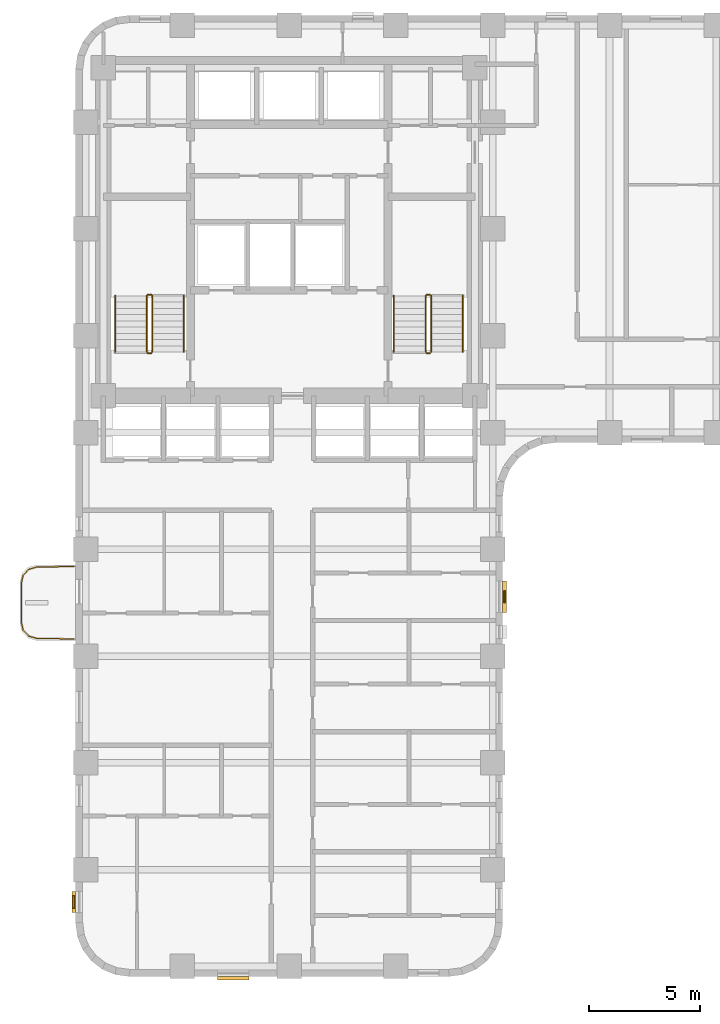
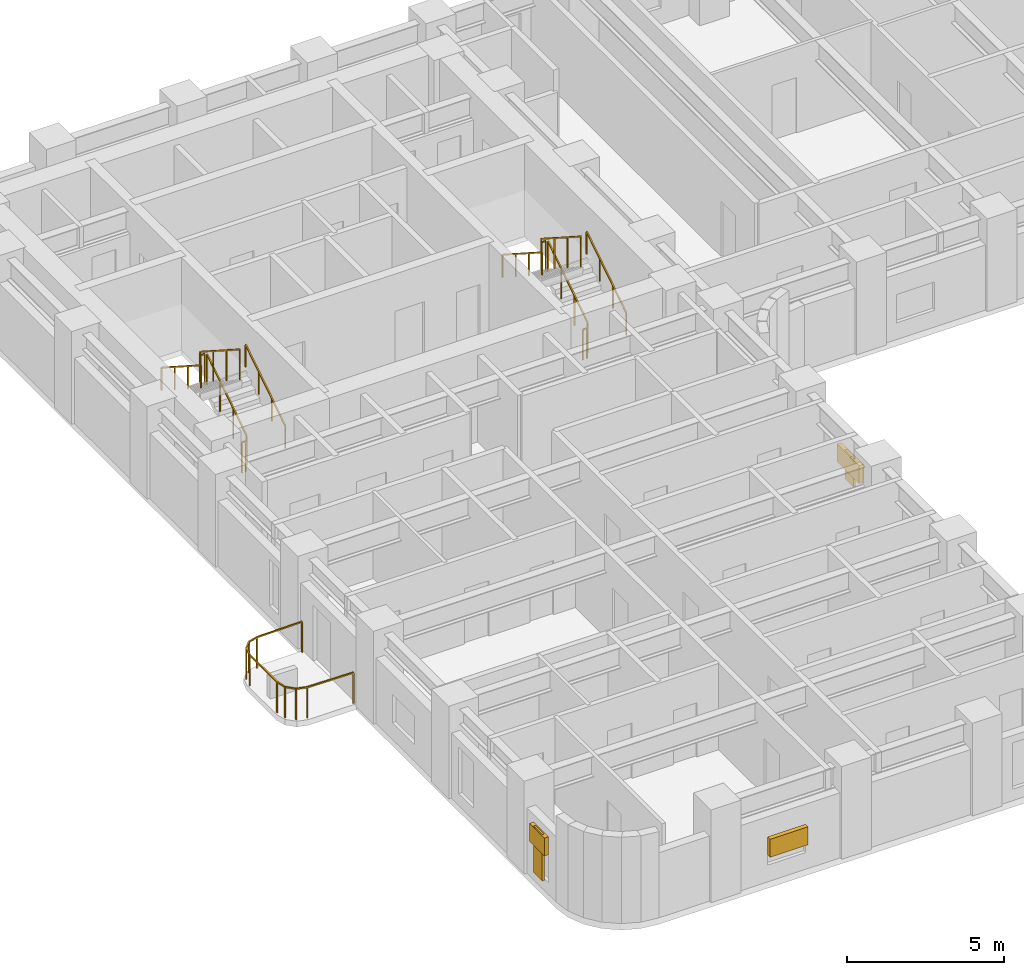
# One storey, part 8 of 11: 13 railings, 5 shading devices.
"""IFC4 building model written with IfcOpenShell, lengths in metres."""

from ifc_helpers import new_model, si_unit, direction, frame, origin, origin_2d, place, context, subcontext, project, spatial, rectangle, extrude, material, type_object, element, save


model = new_model("IFC4")

# Units and contexts
model_context = context("Model", 3, precision=1e-05, world=origin(), true_north=direction((0.0, 1.0)))
body_context = subcontext(model_context, "Body", "Model", "MODEL_VIEW")
ifc_project = project(units=[si_unit("LENGTHUNIT", "METRE"), si_unit("AREAUNIT", "SQUARE_METRE"), si_unit("VOLUMEUNIT", "CUBIC_METRE"), si_unit("PLANEANGLEUNIT", "RADIAN"), si_unit("MASSUNIT", "GRAM", prefix="KILO")], contexts=[model_context])

# Site, building, storey
site_placement = place(None, origin())
site = spatial("IfcSite", under=ifc_project, at=site_placement, CompositionType="ELEMENT")
building_placement = place(site_placement, origin())
building = spatial("IfcBuilding", under=site, at=building_placement, Name="Orvandelia Arch Residences", CompositionType="ELEMENT")
storey_placement = place(building_placement, frame((0.0, 0.0, 61.0)))
storey = spatial("IfcBuildingStorey", under=building, at=storey_placement, Name="L15", CompositionType="ELEMENT", Elevation=61.0)

# Railings
ifc_material_1 = material(Name="Marine-Grade Stainless Steel 316", Category="steel")
railing_type_1 = type_object("IfcRailingType", Name="GRD-BAL-1200", PredefinedType="BALUSTRADE", material=ifc_material_1)
railing_1_placement = place(storey_placement, frame((4.728271484375, 23.23046875, 0.0)))
element("IfcRailing", 1, at=railing_1_placement, inside=storey, type_object=railing_type_1, Name="Safety Balustrade Guard GRD-L15-BAL-L15-W1-1", PredefinedType="BALUSTRADE", context=body_context, shape_type="SweptSolid", body=[
    extrude(rectangle(XDim=0.048095703125, YDim=0.048095703125, at=origin_2d()), frame((0.0, 0.0, 1.19580078125), z_axis=(-0.999834751713, -0.018178813668, 0.0), x_axis=(0.018178813668, -0.999834751713, 0.0)), (0.0, 0.0, 1.0), 1.6787109375),
    extrude(rectangle(XDim=0.048095703125, YDim=0.048095703125, at=origin_2d()), frame((-1.678466796875, -0.030517578125, 1.19580078125), z_axis=(-0.96348920644, -0.267747173792, 0.0), x_axis=(0.267747173792, -0.96348920644, 0.0)), (0.0, 0.0, 1.0), 0.36572265625),
    extrude(rectangle(XDim=0.048095703125, YDim=0.048095703125, at=origin_2d()), frame((-2.03076171875, -0.12841796875, 1.19580078125), z_axis=(-0.688627404251, -0.725115368831, 0.0), x_axis=(0.725115368831, -0.688627404251, 0.0)), (0.0, 0.0, 1.0), 0.367919921875),
    extrude(rectangle(XDim=0.048095703125, YDim=0.048095703125, at=origin_2d()), frame((-2.2841796875, -0.395263671875, 1.19580078125), z_axis=(-0.220461657419, -0.975395641577, 0.0), x_axis=(0.975395641577, -0.220461657419, 0.0)), (0.0, 0.0, 1.0), 0.373291015625),
    extrude(rectangle(XDim=0.048095703125, YDim=0.048095703125, at=origin_2d()), frame((-2.366455078125, -0.75927734375, 1.19580078125), z_axis=(0.0, -1.0, 0.0), x_axis=(1.0, 0.0, 0.0)), (0.0, 0.0, 1.0), 1.742431640625),
    extrude(rectangle(XDim=0.048095703125, YDim=0.048095703125, at=origin_2d()), frame((-2.366455078125, -2.501708984375, 1.19580078125), z_axis=(0.220602419982, -0.975363815352, 0.0), x_axis=(0.975363815352, 0.220602419982, 0.0)), (0.0, 0.0, 1.0), 0.373046875),
    extrude(rectangle(XDim=0.048095703125, YDim=0.048095703125, at=origin_2d()), frame((-2.2841796875, -2.865478515625, 1.19580078125), z_axis=(0.688296224633, -0.725429739642, 0.0), x_axis=(0.725429739642, 0.688296224633, 0.0)), (0.0, 0.0, 1.0), 0.3681640625),
    extrude(rectangle(XDim=0.048095703125, YDim=0.048095703125, at=origin_2d()), frame((-2.03076171875, -3.132568359375, 1.19580078125), z_axis=(0.96348920644, -0.267747173792, 0.0), x_axis=(0.267747173792, 0.96348920644, 0.0)), (0.0, 0.0, 1.0), 0.36572265625),
    extrude(rectangle(XDim=0.048095703125, YDim=0.048095703125, at=origin_2d()), frame((-1.678466796875, -3.23046875, 1.19580078125), z_axis=(0.999834751713, -0.018178813668, 0.0), x_axis=(0.018178813668, 0.999834751713, 0.0)), (0.0, 0.0, 1.0), 1.6787109375),
    extrude(rectangle(XDim=0.0419921875, YDim=0.0419921875, at=origin_2d()), origin(), (0.0, 0.0, 1.0), 1.171875),
    extrude(rectangle(XDim=0.0419921875, YDim=0.0419921875, at=origin_2d()), frame((-1.678466796875, -0.030517578125, 0.0)), (0.0, 0.0, 1.0), 1.171875),
    extrude(rectangle(XDim=0.0419921875, YDim=0.0419921875, at=origin_2d()), frame((-2.03076171875, -0.12841796875, 0.0)), (0.0, 0.0, 1.0), 1.171875),
    extrude(rectangle(XDim=0.0419921875, YDim=0.0419921875, at=origin_2d()), frame((-2.2841796875, -0.395263671875, 0.0)), (0.0, 0.0, 1.0), 1.171875),
    extrude(rectangle(XDim=0.0419921875, YDim=0.0419921875, at=origin_2d()), frame((-2.366455078125, -0.75927734375, 0.0)), (0.0, 0.0, 1.0), 1.171875),
    extrude(rectangle(XDim=0.0419921875, YDim=0.0419921875, at=origin_2d()), frame((-2.366455078125, -2.501708984375, 0.0)), (0.0, 0.0, 1.0), 1.171875),
    extrude(rectangle(XDim=0.0419921875, YDim=0.0419921875, at=origin_2d()), frame((-2.2841796875, -2.865478515625, 0.0)), (0.0, 0.0, 1.0), 1.171875),
    extrude(rectangle(XDim=0.0419921875, YDim=0.0419921875, at=origin_2d()), frame((-2.03076171875, -3.132568359375, 0.0)), (0.0, 0.0, 1.0), 1.171875),
    extrude(rectangle(XDim=0.0419921875, YDim=0.0419921875, at=origin_2d()), frame((-1.678466796875, -3.23046875, 0.0)), (0.0, 0.0, 1.0), 1.171875),
    extrude(rectangle(XDim=0.0419921875, YDim=0.0419921875, at=origin_2d()), frame((0.0, -3.260986328125, 0.0)), (0.0, 0.0, 1.0), 1.171875),
])
ifc_material_2 = material(Name="Brushed Stainless Steel 304", Category="steel")
railing_type_2 = type_object("IfcRailingType", Name="RL-STAIR-GD1120", PredefinedType="GUARDRAIL", material=ifc_material_2)
railing_2_placement = place(storey_placement, frame((8.25, 32.8701171875, 0.179931640625)))
element("IfcRailing", 2, at=railing_2_placement, inside=storey, type_object=railing_type_2, Name="L15 ST-1 stair guard 1", PredefinedType="GUARDRAIL", context=body_context, shape_type="SweptSolid", body=[
    extrude(rectangle(XDim=0.048095703125, YDim=0.048095703125, at=origin_2d()), frame((0.0, 0.0, 1.17578125), z_axis=(0.0, 0.841138753965, 0.540819375188), x_axis=(-1.0, 0.0, 0.0)), (0.0, 0.0, 1.0), 2.99560546875),
    extrude(rectangle(XDim=0.0419921875, YDim=0.0419921875, at=origin_2d()), origin(), (0.0, 0.0, 1.0), 1.15185546875),
    extrude(rectangle(XDim=0.0419921875, YDim=0.0419921875, at=origin_2d()), frame((0.0, 0.83984375, 0.5400390625)), (0.0, 0.0, 1.0), 1.15185546875),
    extrude(rectangle(XDim=0.0419921875, YDim=0.0419921875, at=origin_2d()), frame((0.0, 1.679931640625, 1.080078125)), (0.0, 0.0, 1.0), 1.15185546875),
    extrude(rectangle(XDim=0.0419921875, YDim=0.0419921875, at=origin_2d()), frame((0.0, 2.519775390625, 1.6201171875)), (0.0, 0.0, 1.0), 1.15185546875),
])
railing_3_placement = place(storey_placement, frame((8.199951171875, 35.43994140625, 1.800048828125)))
element("IfcRailing", 3, at=railing_3_placement, inside=storey, type_object=railing_type_2, Name="L15 ST-1 stair guard 2", PredefinedType="GUARDRAIL", context=body_context, shape_type="SweptSolid", body=[
    extrude(rectangle(XDim=0.048095703125, YDim=0.048095703125, at=origin_2d()), frame((0.0, 0.0, 1.17578125), z_axis=(-1.0, 0.0, 0.0), x_axis=(0.0, -1.0, 0.0)), (0.0, 0.0, 1.0), 0.14990234375),
    extrude(rectangle(XDim=0.0419921875, YDim=0.0419921875, at=origin_2d()), origin(), (0.0, 0.0, 1.0), 1.15185546875),
    extrude(rectangle(XDim=0.0419921875, YDim=0.0419921875, at=origin_2d()), frame((-0.14990234375, 0.0, 0.0)), (0.0, 0.0, 1.0), 1.15185546875),
])
railing_4_placement = place(storey_placement, frame((8.0, 35.389892578125, 1.97998046875)))
element("IfcRailing", 4, at=railing_4_placement, inside=storey, type_object=railing_type_2, Name="L15 ST-1 stair guard 3", PredefinedType="GUARDRAIL", context=body_context, shape_type="SweptSolid", body=[
    extrude(rectangle(XDim=0.048095703125, YDim=0.048095703125, at=origin_2d()), frame((0.0, 0.0, 1.17578125), z_axis=(0.0, -0.841138753965, 0.540819375188), x_axis=(1.0, 0.0, 0.0)), (0.0, 0.0, 1.0), 2.99560546875),
    extrude(rectangle(XDim=0.0419921875, YDim=0.0419921875, at=origin_2d()), origin(), (0.0, 0.0, 1.0), 1.15185546875),
    extrude(rectangle(XDim=0.0419921875, YDim=0.0419921875, at=origin_2d()), frame((0.0, -0.83984375, 0.5400390625)), (0.0, 0.0, 1.0), 1.15185546875),
    extrude(rectangle(XDim=0.0419921875, YDim=0.0419921875, at=origin_2d()), frame((0.0, -1.679931640625, 1.080078125)), (0.0, 0.0, 1.0), 1.15185546875),
    extrude(rectangle(XDim=0.0419921875, YDim=0.0419921875, at=origin_2d()), frame((0.0, -2.519775390625, 1.6201171875)), (0.0, 0.0, 1.0), 1.15185546875),
])
railing_5_placement = place(storey_placement, frame((8.199951171875, 32.820068359375, 0.0)))
element("IfcRailing", 5, at=railing_5_placement, inside=storey, type_object=railing_type_2, Name="L15 ST-1 stair guard 4", PredefinedType="GUARDRAIL", context=body_context, shape_type="SweptSolid", body=[
    extrude(rectangle(XDim=0.048095703125, YDim=0.048095703125, at=origin_2d()), frame((0.0, 0.0, 1.17578125), z_axis=(-1.0, 0.0, 0.0), x_axis=(0.0, -1.0, 0.0)), (0.0, 0.0, 1.0), 0.14990234375),
    extrude(rectangle(XDim=0.0419921875, YDim=0.0419921875, at=origin_2d()), origin(), (0.0, 0.0, 1.0), 1.15185546875),
    extrude(rectangle(XDim=0.0419921875, YDim=0.0419921875, at=origin_2d()), frame((-0.14990234375, 0.0, 0.0)), (0.0, 0.0, 1.0), 1.15185546875),
])
railing_6_placement = place(storey_placement, frame((20.780029296875, 32.8701171875, 0.179931640625)))
element("IfcRailing", 6, at=railing_6_placement, inside=storey, type_object=railing_type_2, Name="L15 ST-2 stair guard 1", PredefinedType="GUARDRAIL", context=body_context, shape_type="SweptSolid", body=[
    extrude(rectangle(XDim=0.048095703125, YDim=0.048095703125, at=origin_2d()), frame((0.0, 0.0, 1.17578125), z_axis=(0.0, 0.841138753965, 0.540819375188), x_axis=(-1.0, 0.0, 0.0)), (0.0, 0.0, 1.0), 2.99560546875),
    extrude(rectangle(XDim=0.0419921875, YDim=0.0419921875, at=origin_2d()), origin(), (0.0, 0.0, 1.0), 1.15185546875),
    extrude(rectangle(XDim=0.0419921875, YDim=0.0419921875, at=origin_2d()), frame((0.0, 0.83984375, 0.5400390625)), (0.0, 0.0, 1.0), 1.15185546875),
    extrude(rectangle(XDim=0.0419921875, YDim=0.0419921875, at=origin_2d()), frame((0.0, 1.679931640625, 1.080078125)), (0.0, 0.0, 1.0), 1.15185546875),
    extrude(rectangle(XDim=0.0419921875, YDim=0.0419921875, at=origin_2d()), frame((0.0, 2.519775390625, 1.6201171875)), (0.0, 0.0, 1.0), 1.15185546875),
])
railing_7_placement = place(storey_placement, frame((20.72998046875, 35.43994140625, 1.800048828125)))
element("IfcRailing", 7, at=railing_7_placement, inside=storey, type_object=railing_type_2, Name="L15 ST-2 stair guard 2", PredefinedType="GUARDRAIL", context=body_context, shape_type="SweptSolid", body=[
    extrude(rectangle(XDim=0.048095703125, YDim=0.048095703125, at=origin_2d()), frame((0.0, 0.0, 1.17578125), z_axis=(-1.0, 0.0, 0.0), x_axis=(0.0, -1.0, 0.0)), (0.0, 0.0, 1.0), 0.14990234375),
    extrude(rectangle(XDim=0.0419921875, YDim=0.0419921875, at=origin_2d()), origin(), (0.0, 0.0, 1.0), 1.15185546875),
    extrude(rectangle(XDim=0.0419921875, YDim=0.0419921875, at=origin_2d()), frame((-0.14990234375, 0.0, 0.0)), (0.0, 0.0, 1.0), 1.15185546875),
])
railing_8_placement = place(storey_placement, frame((20.530029296875, 35.389892578125, 1.97998046875)))
element("IfcRailing", 8, at=railing_8_placement, inside=storey, type_object=railing_type_2, Name="L15 ST-2 stair guard 3", PredefinedType="GUARDRAIL", context=body_context, shape_type="SweptSolid", body=[
    extrude(rectangle(XDim=0.048095703125, YDim=0.048095703125, at=origin_2d()), frame((0.0, 0.0, 1.17578125), z_axis=(0.0, -0.841138753965, 0.540819375188), x_axis=(1.0, 0.0, 0.0)), (0.0, 0.0, 1.0), 2.99560546875),
    extrude(rectangle(XDim=0.0419921875, YDim=0.0419921875, at=origin_2d()), origin(), (0.0, 0.0, 1.0), 1.15185546875),
    extrude(rectangle(XDim=0.0419921875, YDim=0.0419921875, at=origin_2d()), frame((0.0, -0.83984375, 0.5400390625)), (0.0, 0.0, 1.0), 1.15185546875),
    extrude(rectangle(XDim=0.0419921875, YDim=0.0419921875, at=origin_2d()), frame((0.0, -1.679931640625, 1.080078125)), (0.0, 0.0, 1.0), 1.15185546875),
    extrude(rectangle(XDim=0.0419921875, YDim=0.0419921875, at=origin_2d()), frame((0.0, -2.519775390625, 1.6201171875)), (0.0, 0.0, 1.0), 1.15185546875),
])
railing_9_placement = place(storey_placement, frame((20.72998046875, 32.820068359375, 0.0)))
element("IfcRailing", 9, at=railing_9_placement, inside=storey, type_object=railing_type_2, Name="L15 ST-2 stair guard 4", PredefinedType="GUARDRAIL", context=body_context, shape_type="SweptSolid", body=[
    extrude(rectangle(XDim=0.048095703125, YDim=0.048095703125, at=origin_2d()), frame((0.0, 0.0, 1.17578125), z_axis=(-1.0, 0.0, 0.0), x_axis=(0.0, -1.0, 0.0)), (0.0, 0.0, 1.0), 0.14990234375),
    extrude(rectangle(XDim=0.0419921875, YDim=0.0419921875, at=origin_2d()), origin(), (0.0, 0.0, 1.0), 1.15185546875),
    extrude(rectangle(XDim=0.0419921875, YDim=0.0419921875, at=origin_2d()), frame((-0.14990234375, 0.0, 0.0)), (0.0, 0.0, 1.0), 1.15185546875),
])
railing_type_3 = type_object("IfcRailingType", Name="RL-STAIR-HR920", PredefinedType="HANDRAIL", material=ifc_material_2)
railing_10_placement = place(storey_placement, frame((9.669921875, 32.8701171875, 0.360107421875)))
element("IfcRailing", 10, at=railing_10_placement, inside=storey, type_object=railing_type_3, Name="L15 ST-1 stair handrail 1", PredefinedType="HANDRAIL", context=body_context, shape_type="SweptSolid", body=[
    extrude(rectangle(XDim=0.048095703125, YDim=0.048095703125, at=origin_2d()), frame((0.0, 0.0, 0.8759765625), z_axis=(0.0, 0.841175827307, 0.540761710511), x_axis=(-1.0, 0.0, 0.0)), (0.0, 0.0, 1.0), 2.99560546875),
    extrude(rectangle(XDim=0.0419921875, YDim=0.0419921875, at=origin_2d()), origin(), (0.0, 0.0, 1.0), 0.851806640625),
    extrude(rectangle(XDim=0.0419921875, YDim=0.0419921875, at=origin_2d()), frame((0.0, 0.83984375, 0.5400390625)), (0.0, 0.0, 1.0), 0.851806640625),
    extrude(rectangle(XDim=0.0419921875, YDim=0.0419921875, at=origin_2d()), frame((0.0, 1.679931640625, 1.079833984375)), (0.0, 0.0, 1.0), 0.851806640625),
    extrude(rectangle(XDim=0.0419921875, YDim=0.0419921875, at=origin_2d()), frame((0.0, 2.519775390625, 1.619873046875)), (0.0, 0.0, 1.0), 0.851806640625),
])
railing_11_placement = place(storey_placement, frame((6.580078125, 35.389892578125, 2.159912109375)))
element("IfcRailing", 11, at=railing_11_placement, inside=storey, type_object=railing_type_3, Name="L15 ST-1 stair handrail 2", PredefinedType="HANDRAIL", context=body_context, shape_type="SweptSolid", body=[
    extrude(rectangle(XDim=0.048095703125, YDim=0.048095703125, at=origin_2d()), frame((0.0, 0.0, 0.8759765625), z_axis=(0.0, -0.841138753965, 0.540819375188), x_axis=(1.0, 0.0, 0.0)), (0.0, 0.0, 1.0), 2.99560546875),
    extrude(rectangle(XDim=0.0419921875, YDim=0.0419921875, at=origin_2d()), origin(), (0.0, 0.0, 1.0), 0.851806640625),
    extrude(rectangle(XDim=0.0419921875, YDim=0.0419921875, at=origin_2d()), frame((0.0, -0.83984375, 0.5400390625)), (0.0, 0.0, 1.0), 0.851806640625),
    extrude(rectangle(XDim=0.0419921875, YDim=0.0419921875, at=origin_2d()), frame((0.0, -1.679931640625, 1.080078125)), (0.0, 0.0, 1.0), 0.851806640625),
    extrude(rectangle(XDim=0.0419921875, YDim=0.0419921875, at=origin_2d()), frame((0.0, -2.519775390625, 1.6201171875)), (0.0, 0.0, 1.0), 0.851806640625),
])
railing_12_placement = place(storey_placement, frame((22.199951171875, 32.8701171875, 0.360107421875)))
element("IfcRailing", 12, at=railing_12_placement, inside=storey, type_object=railing_type_3, Name="L15 ST-2 stair handrail 1", PredefinedType="HANDRAIL", context=body_context, shape_type="SweptSolid", body=[
    extrude(rectangle(XDim=0.048095703125, YDim=0.048095703125, at=origin_2d()), frame((0.0, 0.0, 0.8759765625), z_axis=(0.0, 0.841175827307, 0.540761710511), x_axis=(-1.0, 0.0, 0.0)), (0.0, 0.0, 1.0), 2.99560546875),
    extrude(rectangle(XDim=0.0419921875, YDim=0.0419921875, at=origin_2d()), origin(), (0.0, 0.0, 1.0), 0.851806640625),
    extrude(rectangle(XDim=0.0419921875, YDim=0.0419921875, at=origin_2d()), frame((0.0, 0.83984375, 0.5400390625)), (0.0, 0.0, 1.0), 0.851806640625),
    extrude(rectangle(XDim=0.0419921875, YDim=0.0419921875, at=origin_2d()), frame((0.0, 1.679931640625, 1.079833984375)), (0.0, 0.0, 1.0), 0.851806640625),
    extrude(rectangle(XDim=0.0419921875, YDim=0.0419921875, at=origin_2d()), frame((0.0, 2.519775390625, 1.619873046875)), (0.0, 0.0, 1.0), 0.851806640625),
])
railing_13_placement = place(storey_placement, frame((19.110107421875, 35.389892578125, 2.159912109375)))
element("IfcRailing", 13, at=railing_13_placement, inside=storey, type_object=railing_type_3, Name="L15 ST-2 stair handrail 2", PredefinedType="HANDRAIL", context=body_context, shape_type="SweptSolid", body=[
    extrude(rectangle(XDim=0.048095703125, YDim=0.048095703125, at=origin_2d()), frame((0.0, 0.0, 0.8759765625), z_axis=(0.0, -0.841138753965, 0.540819375188), x_axis=(1.0, 0.0, 0.0)), (0.0, 0.0, 1.0), 2.99560546875),
    extrude(rectangle(XDim=0.0419921875, YDim=0.0419921875, at=origin_2d()), origin(), (0.0, 0.0, 1.0), 0.851806640625),
    extrude(rectangle(XDim=0.0419921875, YDim=0.0419921875, at=origin_2d()), frame((0.0, -0.83984375, 0.5400390625)), (0.0, 0.0, 1.0), 0.851806640625),
    extrude(rectangle(XDim=0.0419921875, YDim=0.0419921875, at=origin_2d()), frame((0.0, -1.679931640625, 1.080078125)), (0.0, 0.0, 1.0), 0.851806640625),
    extrude(rectangle(XDim=0.0419921875, YDim=0.0419921875, at=origin_2d()), frame((0.0, -2.519775390625, 1.6201171875)), (0.0, 0.0, 1.0), 0.851806640625),
])

# Shading devices
ifc_material_3 = material(Name="Anodised Champagne-Bronze Extruded Aluminium", Category="aluminium")
shading_device_type_1 = type_object("IfcShadingDeviceType", Name="SHD-JALOUSIE-SCREEN", PredefinedType="JALOUSIE", material=ifc_material_3)
for number, where, z_axis, x_axis, name in (
    (14, (24.080078125, 21.8701171875, 1.0498046875), (0.0, 0.0, 1.0), (0.0, -1.0, 0.0), "Bronze Jalousie Sun-Shade L15-006"),
    (15, (11.885009765625, 4.719970703125, 1.0498046875), (0.0, 0.0, 1.0), (-1.0, 0.0, 0.0), "Bronze Jalousie Sun-Shade L15-008"),
):
    element("IfcShadingDevice", number, at=place(storey_placement, frame(where, z_axis=z_axis, x_axis=x_axis)), inside=storey, type_object=shading_device_type_1, Name=name, PredefinedType="JALOUSIE", context=body_context, shape_type="SweptSolid", body=[
        extrude(rectangle(XDim=1.39990234375, YDim=0.159912109375, at=origin_2d()), origin(), (0.0, 0.0, 1.0), 0.699951171875),
    ])
shading_device_1_placement = place(storey_placement, frame((4.719970703125, 8.14501953125, 1.5498046875), z_axis=(0.0, 0.0, 1.0), x_axis=(0.0, 1.0, 0.0)))
element("IfcShadingDevice", 16, at=shading_device_1_placement, inside=storey, type_object=shading_device_type_1, Name="Bronze Jalousie Sun-Shade L15-009", PredefinedType="JALOUSIE", context=body_context, shape_type="SweptSolid", body=[
    extrude(rectangle(XDim=0.949951171875, YDim=0.159912109375, at=origin_2d()), origin(), (0.0, 0.0, 1.0), 0.699951171875),
])
ifc_material_4 = material(Name="Marine-Grade Perforated Aluminium Storm Shutter", Category="aluminium")
shading_device_type_2 = type_object("IfcShadingDeviceType", Name="SHD-STORM-SHUTTER", PredefinedType="SHUTTER", material=ifc_material_4)
shading_device_2_placement = place(storey_placement, frame((24.080078125, 21.8701171875, 0.64990234375), z_axis=(0.0, 0.0, 1.0), x_axis=(0.0, -1.0, 0.0)))
element("IfcShadingDevice", 17, at=shading_device_2_placement, inside=storey, type_object=shading_device_type_2, Name="Operable Typhoon Storm Shutter L15-006", PredefinedType="SHUTTER", context=body_context, shape_type="SweptSolid", body=[
    extrude(rectangle(XDim=0.550048828125, YDim=0.080078125, at=origin_2d()), origin(), (0.0, 0.0, 1.0), 1.10009765625),
])
shading_device_3_placement = place(storey_placement, frame((4.719970703125, 8.14501953125, 0.4501953125), z_axis=(0.0, 0.0, 1.0), x_axis=(0.0, 1.0, 0.0)))
element("IfcShadingDevice", 18, at=shading_device_3_placement, inside=storey, type_object=shading_device_type_2, Name="Operable Typhoon Storm Shutter L15-009", PredefinedType="SHUTTER", context=body_context, shape_type="SweptSolid", body=[
    extrude(rectangle(XDim=0.550048828125, YDim=0.080078125, at=origin_2d()), origin(), (0.0, 0.0, 1.0), 1.800048828125),
])

save(model, "model.ifc")
